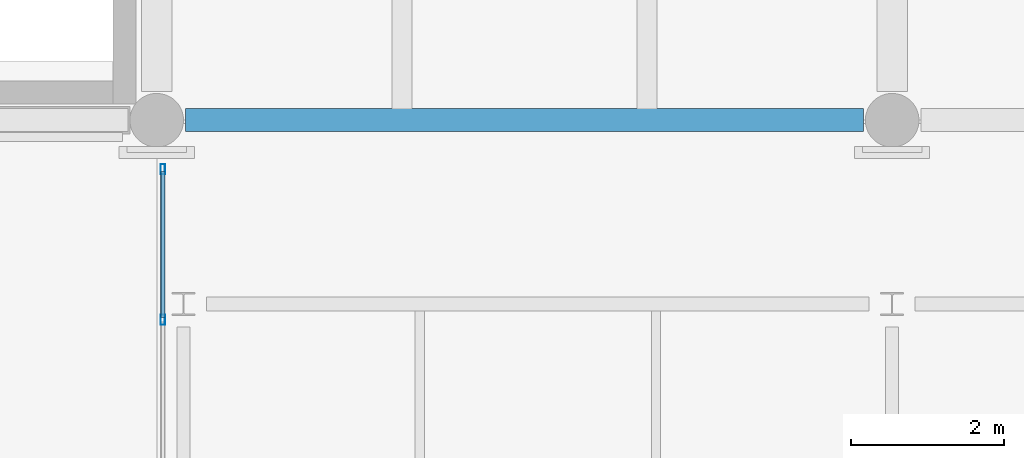
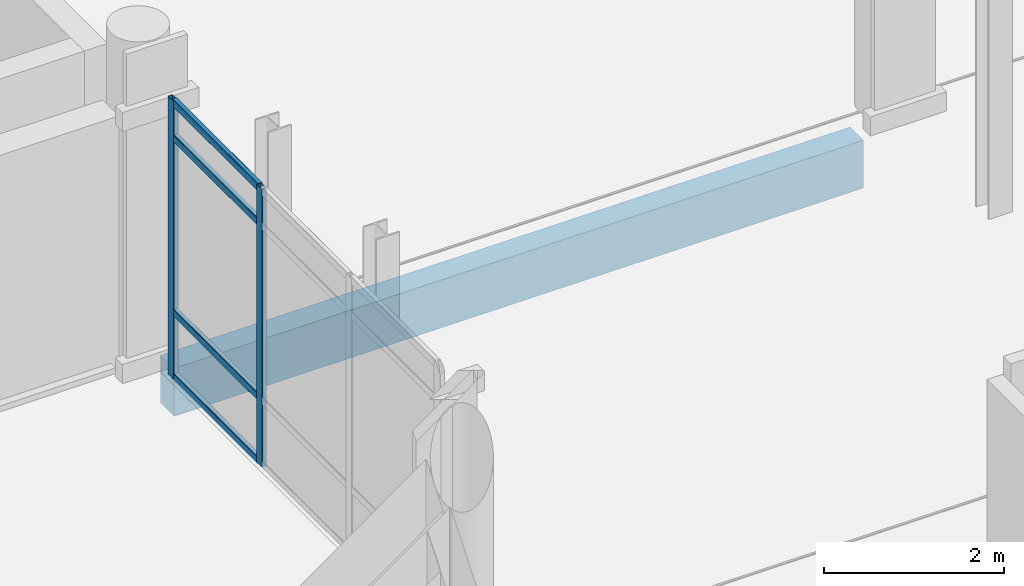
# One storey, part 46 of 196: 6 members, 1 beam, 1 element without a shape of its own.
"""IFC4 building model written with IfcOpenShell, lengths in metres."""

from ifc_helpers import new_model, si_unit, direction, frame, origin, origin_2d, place, context, subcontext, project, spatial, rectangle, hollow_rectangle, extrude, material, layer, layer_set, material_profile, profile_set, type_object, element, aggregate, save


model = new_model("IFC4")

# Units and contexts
model_context = context("Model", 3, precision=1e-05, world=origin(), true_north=direction((0.0, 1.0)))
body_context = subcontext(model_context, "Body", "Model", "MODEL_VIEW")
ifc_project = project(units=[si_unit("LENGTHUNIT", "METRE"), si_unit("AREAUNIT", "SQUARE_METRE"), si_unit("VOLUMEUNIT", "CUBIC_METRE"), si_unit("PLANEANGLEUNIT", "RADIAN"), si_unit("MASSUNIT", "GRAM", prefix="KILO")], contexts=[model_context])

# Site, building, storey
site_placement = place(None, origin())
site = spatial("IfcSite", under=ifc_project, at=site_placement, CompositionType="ELEMENT")
building_placement = place(site_placement, origin())
building = spatial("IfcBuilding", under=site, at=building_placement, Name="Asteropetra Specialist Clinic", CompositionType="ELEMENT")
storey_placement = place(building_placement, origin())
storey = spatial("IfcBuildingStorey", under=building, at=storey_placement, Name="L00", CompositionType="ELEMENT", Elevation=0.0)

# Curtain wall, members
ifc_material_1 = material(Name="Aluminium and low-E glass", Category="aluminium")
ifc_layer = layer(ifc_material_1, 0.179931640625)
ifc_layer_set = layer_set([ifc_layer], Name="Aluminium and low-E glass")
curtain_wall_type = type_object("IfcCurtainWallType", Name="CW-SYS-07", PredefinedType="USERDEFINED", material=ifc_layer_set)
curtain_wall_placement = place(storey_placement, origin())
curtain_wall = element("IfcCurtainWall", 1, at=curtain_wall_placement, inside=storey, type_object=curtain_wall_type, Name="Curtain Wall CW-095", ObjectType="STICK GLAZED COLONNADE", PredefinedType="USERDEFINED")
ifc_material_2 = material(Name="Aluminium 6063-T6", Category="aluminium")
ifc_material_profile_1 = material_profile(ifc_material_2, hollow_rectangle(XDim=0.06005859375, YDim=0.135009765625, WallThickness=0.00341796875, InnerFilletRadius=0.00341796875, OuterFilletRadius=0.007080078125, at=origin_2d()), Name="MUL 135x60x3.5")
ifc_profile_set_1 = profile_set([ifc_material_profile_1], Name="Aluminium 6063-T6")
member_type_1 = type_object("IfcMemberType", Name="CWM-135x60", PredefinedType="MULLION", material=ifc_profile_set_1)
member_1_placement = place(storey_placement, frame((9.679931640625, 30.99658203125, 0.0), z_axis=(0.0, 0.0, 1.0), x_axis=(-1.0, 0.0, 0.0)))
member_1 = element("IfcMember", 2, at=member_1_placement, type_object=member_type_1, Name="CW-095 mullion 3", PredefinedType="MULLION", context=body_context, shape_type="SweptSolid", body=[
    extrude(hollow_rectangle(XDim=0.06005859375, YDim=0.135009765625, WallThickness=0.00341796875, InnerFilletRadius=0.00341796875, OuterFilletRadius=0.007080078125, at=origin_2d()), origin(), (0.0, 0.0, 1.0), 3.77001953125),
])
member_2_placement = place(storey_placement, frame((9.679931640625, 32.9599609375, 0.0), z_axis=(0.0, 0.0, 1.0), x_axis=(-1.0, 0.0, 0.0)))
member_2 = element("IfcMember", 3, at=member_2_placement, type_object=member_type_1, Name="CW-095 mullion 4", PredefinedType="MULLION", context=body_context, shape_type="SweptSolid", body=[
    extrude(hollow_rectangle(XDim=0.06005859375, YDim=0.135009765625, WallThickness=0.00341796875, InnerFilletRadius=0.00341796875, OuterFilletRadius=0.007080078125, at=origin_2d()), origin(), (0.0, 0.0, 1.0), 3.77001953125),
])
ifc_material_3 = material(Name="Aluminium 6063-T6", Category="aluminium")
ifc_material_profile_2 = material_profile(ifc_material_3, hollow_rectangle(XDim=0.06005859375, YDim=0.10009765625, WallThickness=0.00341796875, InnerFilletRadius=0.00341796875, OuterFilletRadius=0.007080078125, at=origin_2d()), Name="TRN 100x60x3.5")
ifc_profile_set_2 = profile_set([ifc_material_profile_2], Name="Aluminium 6063-T6")
member_type_2 = type_object("IfcMemberType", Name="CWT-100x60", PredefinedType="USERDEFINED", material=ifc_profile_set_2)
member_3_placement = place(storey_placement, frame((9.679931640625, 31.026611328125, 0.030029296875), z_axis=(0.0, 1.0, 0.0), x_axis=(-1.0, 0.0, 0.0)))
member_3 = element("IfcMember", 4, at=member_3_placement, type_object=member_type_2, Name="CW-095 transom 3.1", ObjectType="TRANSOM", PredefinedType="USERDEFINED", context=body_context, shape_type="SweptSolid", body=[
    extrude(hollow_rectangle(XDim=0.06005859375, YDim=0.10009765625, WallThickness=0.00341796875, InnerFilletRadius=0.00341796875, OuterFilletRadius=0.007080078125, at=origin_2d()), origin(), (0.0, 0.0, 1.0), 1.9033203125),
])
member_4_placement = place(storey_placement, frame((9.679931640625, 31.026611328125, 0.89990234375), z_axis=(0.0, 1.0, 0.0), x_axis=(-1.0, 0.0, 0.0)))
member_4 = element("IfcMember", 5, at=member_4_placement, type_object=member_type_2, Name="CW-095 transom 3.2", ObjectType="TRANSOM", PredefinedType="USERDEFINED", context=body_context, shape_type="SweptSolid", body=[
    extrude(hollow_rectangle(XDim=0.06005859375, YDim=0.10009765625, WallThickness=0.00341796875, InnerFilletRadius=0.00341796875, OuterFilletRadius=0.007080078125, at=origin_2d()), origin(), (0.0, 0.0, 1.0), 1.9033203125),
])
member_5_placement = place(storey_placement, frame((9.679931640625, 31.026611328125, 3.27001953125), z_axis=(0.0, 1.0, 0.0), x_axis=(-1.0, 0.0, 0.0)))
member_5 = element("IfcMember", 6, at=member_5_placement, type_object=member_type_2, Name="CW-095 transom 3.3", ObjectType="TRANSOM", PredefinedType="USERDEFINED", context=body_context, shape_type="SweptSolid", body=[
    extrude(hollow_rectangle(XDim=0.06005859375, YDim=0.10009765625, WallThickness=0.00341796875, InnerFilletRadius=0.00341796875, OuterFilletRadius=0.007080078125, at=origin_2d()), origin(), (0.0, 0.0, 1.0), 1.9033203125),
])
member_6_placement = place(storey_placement, frame((9.679931640625, 31.026611328125, 3.739990234375), z_axis=(0.0, 1.0, 0.0), x_axis=(-1.0, 0.0, 0.0)))
member_6 = element("IfcMember", 7, at=member_6_placement, type_object=member_type_2, Name="CW-095 transom 3.4", ObjectType="TRANSOM", PredefinedType="USERDEFINED", context=body_context, shape_type="SweptSolid", body=[
    extrude(hollow_rectangle(XDim=0.06005859375, YDim=0.10009765625, WallThickness=0.00341796875, InnerFilletRadius=0.00341796875, OuterFilletRadius=0.007080078125, at=origin_2d()), origin(), (0.0, 0.0, 1.0), 1.9033203125),
])
aggregate(curtain_wall, [member_1, member_2, member_3, member_4, member_5, member_6])

# Beam
ifc_material_4 = material(Name="Concrete C35/45", Category="concrete")
ifc_material_profile_3 = material_profile(ifc_material_4, rectangle(XDim=0.300048828125, YDim=0.64990234375, at=origin_2d()), Name="RCS 300x650")
ifc_profile_set_3 = profile_set([ifc_material_profile_3], Name="Concrete C35/45")
beam_type = type_object("IfcBeamType", Name="SPN-RC300x650", PredefinedType="SPANDREL", material=ifc_profile_set_3)
beam_placement = place(storey_placement, frame((9.97509765625, 33.60009765625, -0.625), z_axis=(1.0, 0.0, 0.0), x_axis=(0.0, 1.0, 0.0)))
element("IfcBeam", 8, at=beam_placement, inside=storey, type_object=beam_type, Name="Beam BSPN03-0134", PredefinedType="SPANDREL", context=body_context, shape_type="SweptSolid", body=[
    extrude(rectangle(XDim=0.300048828125, YDim=0.64990234375, at=origin_2d()), origin(), (0.0, 0.0, 1.0), 8.849853515625),
])

save(model, "model.ifc")
